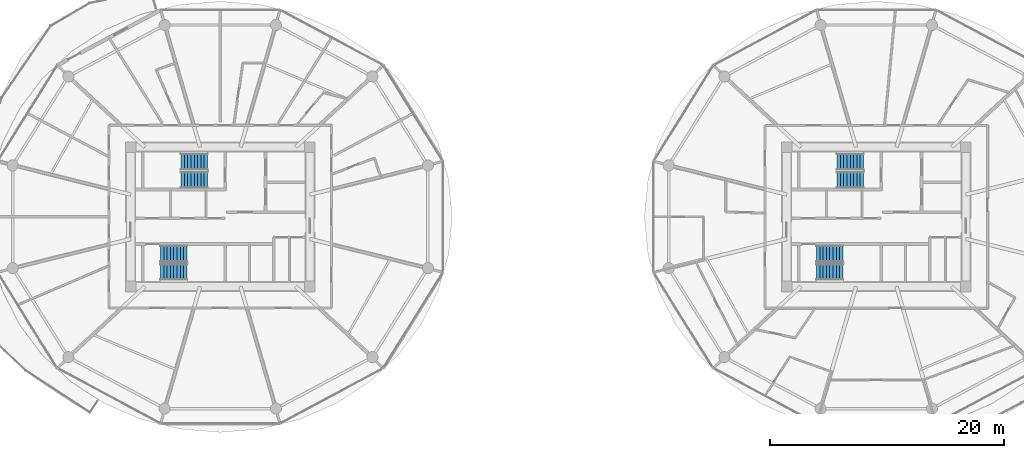
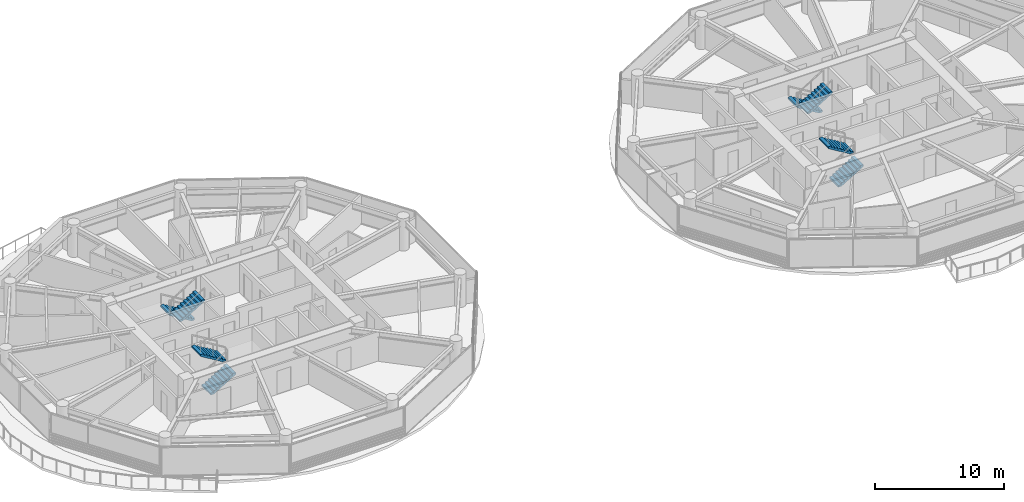
# One storey, part 22 of 27: 8 stair flights, 4 elements without a shape of their own.
"""IFC4 building model written with IfcOpenShell, lengths in metres."""

from ifc_helpers import new_model, si_unit, direction, frame, origin, place, context, subcontext, project, spatial, polyline, outline, extrude, material, type_object, element, aggregate, save


model = new_model("IFC4")

# Units and contexts
model_context = context("Model", 3, precision=1e-05, world=origin(), true_north=direction((0.0, 1.0)))
body_context = subcontext(model_context, "Body", "Model", "MODEL_VIEW")
ifc_project = project(units=[si_unit("LENGTHUNIT", "METRE"), si_unit("AREAUNIT", "SQUARE_METRE"), si_unit("VOLUMEUNIT", "CUBIC_METRE"), si_unit("PLANEANGLEUNIT", "RADIAN"), si_unit("MASSUNIT", "GRAM", prefix="KILO")], contexts=[model_context])

# Site, building, storey
site_placement = place(None, origin())
site = spatial("IfcSite", under=ifc_project, at=site_placement, CompositionType="ELEMENT")
building_placement = place(site_placement, origin())
building = spatial("IfcBuilding", under=site, at=building_placement, Name="Norrkilde Senior Care Towers", CompositionType="ELEMENT")
storey_placement = place(building_placement, frame((0.0, 0.0, 30.75)))
storey = spatial("IfcBuildingStorey", under=building, at=storey_placement, Name="L08", CompositionType="ELEMENT", Elevation=30.75)

# Stair, stair flights
ifc_material = material(Name="Concrete C45/55", Category="concrete")
stair_type = type_object("IfcStairType", Name="Core Protected Dogleg Stair Typical 3050", PredefinedType="HALF_TURN_STAIR", material=ifc_material)
stair_1_placement = place(storey_placement, origin())
stair_1 = element("IfcStair", 1, at=stair_1_placement, inside=storey, type_object=stair_type, Name="L08 Protected Core Stair W1", PredefinedType="HALF_TURN_STAIR")
stair_flight_type = type_object("IfcStairFlightType", Name="Core Protected Dogleg Stair Typical 3050 Flight", PredefinedType="STRAIGHT", material=ifc_material)
stair_flight_1_placement = place(storey_placement, frame((-29.10009765625, 4.699951171875, 0.0), z_axis=(0.0, 0.0, 1.0), x_axis=(-1.0, 0.0, 0.0)))
stair_flight_1 = element("IfcStairFlight", 2, at=stair_flight_1_placement, type_object=stair_flight_type, Name="ST-W1 flight 1", NumberOfRisers=9, NumberOfTreads=8, PredefinedType="STRAIGHT", RiserHeight=0.169444444, TreadLength=0.28, context=body_context, shape_type="SweptSolid", body=[
    extrude(outline(polyline([(0.0, 0.0), (0.0, 0.16943359375), (0.280029296875, 0.16943359375), (0.280029296875, 0.3388671875), (0.56005859375, 0.3388671875), (0.56005859375, 0.50830078125), (0.840087890625, 0.50830078125), (0.840087890625, 0.677734375), (1.1201171875, 0.677734375), (1.1201171875, 0.84716796875), (1.39990234375, 0.84716796875), (1.39990234375, 1.0166015625), (1.679931640625, 1.0166015625), (1.679931640625, 1.18603515625), (1.9599609375, 1.18603515625), (1.9599609375, 1.35546875), (2.239990234375, 1.35546875), (2.239990234375, 1.52490234375), (2.239990234375, 1.180419921875), (0.28955078125, 0.0), (0.0, 0.0)])), frame((0.0, 0.699951171875, 0.0), z_axis=(0.0, -1.0, 0.0), x_axis=(1.0, 0.0, 0.0)), (0.0, 0.0, 1.0), 1.39990234375),
])
stair_flight_2_placement = place(storey_placement, frame((-31.340087890625, 3.14990234375, 1.52490234375), z_axis=(0.0, 0.0, 1.0), x_axis=(1.0, 0.0, 0.0)))
stair_flight_2 = element("IfcStairFlight", 3, at=stair_flight_2_placement, type_object=stair_flight_type, Name="ST-W1 flight 2", NumberOfRisers=9, NumberOfTreads=8, PredefinedType="STRAIGHT", RiserHeight=0.169444444, TreadLength=0.28, context=body_context, shape_type="SweptSolid", body=[
    extrude(outline(polyline([(0.0, 0.0), (0.0, 0.16943359375), (0.280029296875, 0.16943359375), (0.280029296875, 0.3388671875), (0.56005859375, 0.3388671875), (0.56005859375, 0.50830078125), (0.840087890625, 0.50830078125), (0.840087890625, 0.677734375), (1.1201171875, 0.677734375), (1.1201171875, 0.84716796875), (1.39990234375, 0.84716796875), (1.39990234375, 1.0166015625), (1.679931640625, 1.0166015625), (1.679931640625, 1.18603515625), (1.9599609375, 1.18603515625), (1.9599609375, 1.35546875), (2.239990234375, 1.35546875), (2.239990234375, 1.52490234375), (2.239990234375, 1.180419921875), (0.28955078125, 0.0), (0.0, 0.0)])), frame((0.0, 0.699951171875, 0.0), z_axis=(0.0, -1.0, 0.0), x_axis=(1.0, 0.0, 0.0)), (0.0, 0.0, 1.0), 1.39990234375),
])
aggregate(stair_1, [stair_flight_1, stair_flight_2])

stair_2_placement = place(storey_placement, origin())
stair_2 = element("IfcStair", 4, at=stair_2_placement, inside=storey, type_object=stair_type, Name="L08 Protected Core Stair W2", PredefinedType="HALF_TURN_STAIR")
stair_flight_3_placement = place(storey_placement, frame((-33.10009765625, -4.699951171875, 0.0), z_axis=(0.0, 0.0, 1.0), x_axis=(1.0, 0.0, 0.0)))
stair_flight_3 = element("IfcStairFlight", 5, at=stair_flight_3_placement, type_object=stair_flight_type, Name="ST-W2 flight 1", NumberOfRisers=9, NumberOfTreads=8, PredefinedType="STRAIGHT", RiserHeight=0.169444444, TreadLength=0.28, context=body_context, shape_type="SweptSolid", body=[
    extrude(outline(polyline([(0.0, 0.0), (0.0, 0.16943359375), (0.280029296875, 0.16943359375), (0.280029296875, 0.3388671875), (0.56005859375, 0.3388671875), (0.56005859375, 0.50830078125), (0.840087890625, 0.50830078125), (0.840087890625, 0.677734375), (1.1201171875, 0.677734375), (1.1201171875, 0.84716796875), (1.39990234375, 0.84716796875), (1.39990234375, 1.0166015625), (1.679931640625, 1.0166015625), (1.679931640625, 1.18603515625), (1.9599609375, 1.18603515625), (1.9599609375, 1.35546875), (2.239990234375, 1.35546875), (2.239990234375, 1.52490234375), (2.239990234375, 1.180419921875), (0.28955078125, 0.0), (0.0, 0.0)])), frame((0.0, 0.699951171875, 0.0), z_axis=(0.0, -1.0, 0.0), x_axis=(1.0, 0.0, 0.0)), (0.0, 0.0, 1.0), 1.39990234375),
])
stair_flight_4_placement = place(storey_placement, frame((-30.860107421875, -3.14990234375, 1.52490234375), z_axis=(0.0, 0.0, 1.0), x_axis=(-1.0, 0.0, 0.0)))
stair_flight_4 = element("IfcStairFlight", 6, at=stair_flight_4_placement, type_object=stair_flight_type, Name="ST-W2 flight 2", NumberOfRisers=9, NumberOfTreads=8, PredefinedType="STRAIGHT", RiserHeight=0.169444444, TreadLength=0.28, context=body_context, shape_type="SweptSolid", body=[
    extrude(outline(polyline([(0.0, 0.0), (0.0, 0.16943359375), (0.280029296875, 0.16943359375), (0.280029296875, 0.3388671875), (0.56005859375, 0.3388671875), (0.56005859375, 0.50830078125), (0.840087890625, 0.50830078125), (0.840087890625, 0.677734375), (1.1201171875, 0.677734375), (1.1201171875, 0.84716796875), (1.39990234375, 0.84716796875), (1.39990234375, 1.0166015625), (1.679931640625, 1.0166015625), (1.679931640625, 1.18603515625), (1.9599609375, 1.18603515625), (1.9599609375, 1.35546875), (2.239990234375, 1.35546875), (2.239990234375, 1.52490234375), (2.239990234375, 1.180419921875), (0.28955078125, 0.0), (0.0, 0.0)])), frame((0.0, 0.699951171875, 0.0), z_axis=(0.0, -1.0, 0.0), x_axis=(1.0, 0.0, 0.0)), (0.0, 0.0, 1.0), 1.39990234375),
])
aggregate(stair_2, [stair_flight_3, stair_flight_4])

stair_3_placement = place(storey_placement, origin())
stair_3 = element("IfcStair", 7, at=stair_3_placement, inside=storey, type_object=stair_type, Name="L08 Protected Core Stair E1", PredefinedType="HALF_TURN_STAIR")
stair_flight_5_placement = place(storey_placement, frame((26.89990234375, 4.699951171875, 0.0), z_axis=(0.0, 0.0, 1.0), x_axis=(-1.0, 0.0, 0.0)))
stair_flight_5 = element("IfcStairFlight", 8, at=stair_flight_5_placement, type_object=stair_flight_type, Name="ST-E1 flight 1", NumberOfRisers=9, NumberOfTreads=8, PredefinedType="STRAIGHT", RiserHeight=0.169444444, TreadLength=0.28, context=body_context, shape_type="SweptSolid", body=[
    extrude(outline(polyline([(0.0, 0.0), (0.0, 0.16943359375), (0.280029296875, 0.16943359375), (0.280029296875, 0.3388671875), (0.56005859375, 0.3388671875), (0.56005859375, 0.50830078125), (0.840087890625, 0.50830078125), (0.840087890625, 0.677734375), (1.1201171875, 0.677734375), (1.1201171875, 0.84716796875), (1.39990234375, 0.84716796875), (1.39990234375, 1.0166015625), (1.679931640625, 1.0166015625), (1.679931640625, 1.18603515625), (1.9599609375, 1.18603515625), (1.9599609375, 1.35546875), (2.239990234375, 1.35546875), (2.239990234375, 1.52490234375), (2.239990234375, 1.180419921875), (0.28955078125, 0.0), (0.0, 0.0)])), frame((0.0, 0.699951171875, 0.0), z_axis=(0.0, -1.0, 0.0), x_axis=(1.0, 0.0, 0.0)), (0.0, 0.0, 1.0), 1.39990234375),
])
stair_flight_6_placement = place(storey_placement, frame((24.659912109375, 3.14990234375, 1.52490234375), z_axis=(0.0, 0.0, 1.0), x_axis=(1.0, 0.0, 0.0)))
stair_flight_6 = element("IfcStairFlight", 9, at=stair_flight_6_placement, type_object=stair_flight_type, Name="ST-E1 flight 2", NumberOfRisers=9, NumberOfTreads=8, PredefinedType="STRAIGHT", RiserHeight=0.169444444, TreadLength=0.28, context=body_context, shape_type="SweptSolid", body=[
    extrude(outline(polyline([(0.0, 0.0), (0.0, 0.16943359375), (0.280029296875, 0.16943359375), (0.280029296875, 0.3388671875), (0.56005859375, 0.3388671875), (0.56005859375, 0.50830078125), (0.840087890625, 0.50830078125), (0.840087890625, 0.677734375), (1.1201171875, 0.677734375), (1.1201171875, 0.84716796875), (1.39990234375, 0.84716796875), (1.39990234375, 1.0166015625), (1.679931640625, 1.0166015625), (1.679931640625, 1.18603515625), (1.9599609375, 1.18603515625), (1.9599609375, 1.35546875), (2.239990234375, 1.35546875), (2.239990234375, 1.52490234375), (2.239990234375, 1.180419921875), (0.28955078125, 0.0), (0.0, 0.0)])), frame((0.0, 0.699951171875, 0.0), z_axis=(0.0, -1.0, 0.0), x_axis=(1.0, 0.0, 0.0)), (0.0, 0.0, 1.0), 1.39990234375),
])
aggregate(stair_3, [stair_flight_5, stair_flight_6])

stair_4_placement = place(storey_placement, origin())
stair_4 = element("IfcStair", 10, at=stair_4_placement, inside=storey, type_object=stair_type, Name="L08 Protected Core Stair E2", PredefinedType="HALF_TURN_STAIR")
stair_flight_7_placement = place(storey_placement, frame((22.89990234375, -4.699951171875, 0.0), z_axis=(0.0, 0.0, 1.0), x_axis=(1.0, 0.0, 0.0)))
stair_flight_7 = element("IfcStairFlight", 11, at=stair_flight_7_placement, type_object=stair_flight_type, Name="ST-E2 flight 1", NumberOfRisers=9, NumberOfTreads=8, PredefinedType="STRAIGHT", RiserHeight=0.169444444, TreadLength=0.28, context=body_context, shape_type="SweptSolid", body=[
    extrude(outline(polyline([(0.0, 0.0), (0.0, 0.16943359375), (0.280029296875, 0.16943359375), (0.280029296875, 0.3388671875), (0.56005859375, 0.3388671875), (0.56005859375, 0.50830078125), (0.840087890625, 0.50830078125), (0.840087890625, 0.677734375), (1.1201171875, 0.677734375), (1.1201171875, 0.84716796875), (1.39990234375, 0.84716796875), (1.39990234375, 1.0166015625), (1.679931640625, 1.0166015625), (1.679931640625, 1.18603515625), (1.9599609375, 1.18603515625), (1.9599609375, 1.35546875), (2.239990234375, 1.35546875), (2.239990234375, 1.52490234375), (2.239990234375, 1.180419921875), (0.28955078125, 0.0), (0.0, 0.0)])), frame((0.0, 0.699951171875, 0.0), z_axis=(0.0, -1.0, 0.0), x_axis=(1.0, 0.0, 0.0)), (0.0, 0.0, 1.0), 1.39990234375),
])
stair_flight_8_placement = place(storey_placement, frame((25.139892578125, -3.14990234375, 1.52490234375), z_axis=(0.0, 0.0, 1.0), x_axis=(-1.0, 0.0, 0.0)))
stair_flight_8 = element("IfcStairFlight", 12, at=stair_flight_8_placement, type_object=stair_flight_type, Name="ST-E2 flight 2", NumberOfRisers=9, NumberOfTreads=8, PredefinedType="STRAIGHT", RiserHeight=0.169444444, TreadLength=0.28, context=body_context, shape_type="SweptSolid", body=[
    extrude(outline(polyline([(0.0, 0.0), (0.0, 0.16943359375), (0.280029296875, 0.16943359375), (0.280029296875, 0.3388671875), (0.56005859375, 0.3388671875), (0.56005859375, 0.50830078125), (0.840087890625, 0.50830078125), (0.840087890625, 0.677734375), (1.1201171875, 0.677734375), (1.1201171875, 0.84716796875), (1.39990234375, 0.84716796875), (1.39990234375, 1.0166015625), (1.679931640625, 1.0166015625), (1.679931640625, 1.18603515625), (1.9599609375, 1.18603515625), (1.9599609375, 1.35546875), (2.239990234375, 1.35546875), (2.239990234375, 1.52490234375), (2.239990234375, 1.180419921875), (0.28955078125, 0.0), (0.0, 0.0)])), frame((0.0, 0.699951171875, 0.0), z_axis=(0.0, -1.0, 0.0), x_axis=(1.0, 0.0, 0.0)), (0.0, 0.0, 1.0), 1.39990234375),
])
aggregate(stair_4, [stair_flight_7, stair_flight_8])

save(model, "model.ifc")
